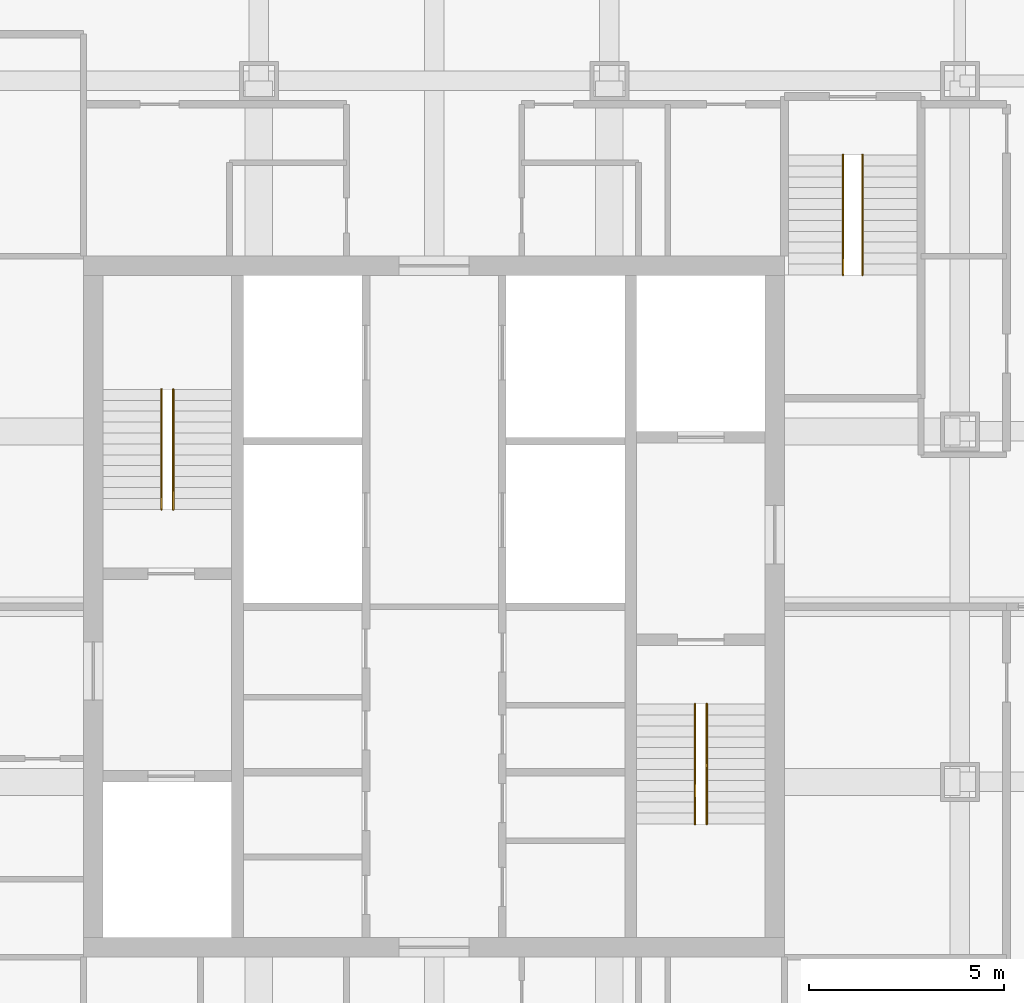
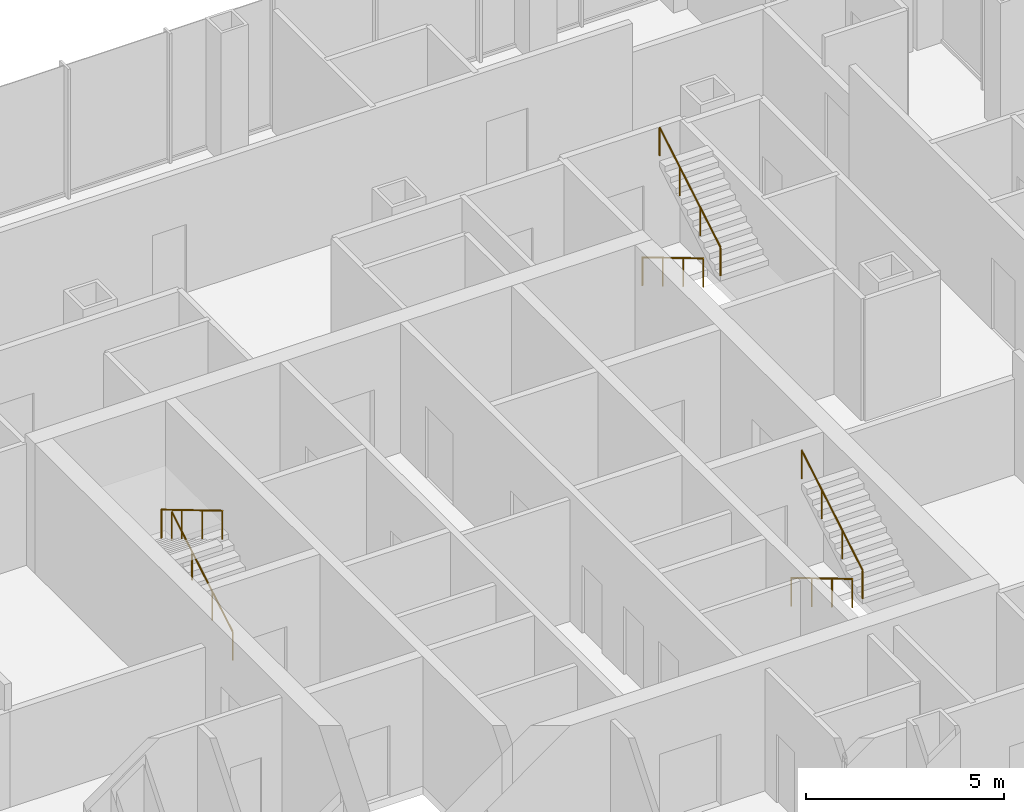
# One storey, part 16 of 16: 6 railings.
"""IFC4 building model written with IfcOpenShell, lengths in metres."""

from ifc_helpers import new_model, si_unit, direction, frame, origin, origin_2d, place, context, subcontext, project, spatial, circle, extrude, material, type_object, element, save


model = new_model("IFC4")

# Units and contexts
model_context = context("Model", 3, precision=1e-05, world=origin(), true_north=direction((0.0, 1.0)))
body_context = subcontext(model_context, "Body", "Model", "MODEL_VIEW")
ifc_project = project(units=[si_unit("LENGTHUNIT", "METRE"), si_unit("AREAUNIT", "SQUARE_METRE"), si_unit("VOLUMEUNIT", "CUBIC_METRE"), si_unit("PLANEANGLEUNIT", "RADIAN"), si_unit("MASSUNIT", "GRAM", prefix="KILO")], contexts=[model_context])

# Site, building, storey
site_placement = place(None, origin())
site = spatial("IfcSite", under=ifc_project, at=site_placement, CompositionType="ELEMENT")
building_placement = place(site_placement, origin())
building = spatial("IfcBuilding", under=site, at=building_placement, Name="Malebo Sky Hospital", CompositionType="ELEMENT")
storey_placement = place(building_placement, frame((0.0, 0.0, 209.0)))
storey = spatial("IfcBuildingStorey", under=building, at=storey_placement, Name="L50", CompositionType="ELEMENT", Elevation=209.0)

# Railings
ifc_material = material(Name="Stainless steel tube", Category="steel")
railing_type = type_object("IfcRailingType", Name="STAIR HANDRAIL 900", PredefinedType="HANDRAIL", material=ifc_material)
railing_1_placement = place(storey_placement, frame((53.300048828125, 64.5, 0.166748046875)))
element("IfcRailing", 1, at=railing_1_placement, inside=storey, type_object=railing_type, Name="Stair handrail S1 flight 1", PredefinedType="HANDRAIL", context=body_context, shape_type="SweptSolid", body=[
    extrude(circle(Radius=0.02392578125, at=origin_2d()), frame((0.0, 0.0, 0.8759765625), z_axis=(0.0, 0.859308565015, 0.511457515432), x_axis=(-1.0, 0.0, 0.0)), (0.0, 0.0, 1.0), 3.58447265625),
    extrude(circle(Radius=0.02099609375, at=origin_2d()), origin(), (0.0, 0.0, 1.0), 0.851806640625),
    extrude(circle(Radius=0.02099609375, at=origin_2d()), frame((0.0, 1.026611328125, 0.611083984375)), (0.0, 0.0, 1.0), 0.851806640625),
    extrude(circle(Radius=0.02099609375, at=origin_2d()), frame((0.0, 2.053466796875, 1.22216796875)), (0.0, 0.0, 1.0), 0.851806640625),
    extrude(circle(Radius=0.02099609375, at=origin_2d()), frame((0.0, 3.080078125, 1.833251953125)), (0.0, 0.0, 1.0), 0.851806640625),
])
for number, where, name in (
    (2, (53.0, 67.580078125, 2.166748046875), "Stair handrail S1 flight 2"),
    (3, (66.699951171875, 59.5, 0.166748046875), "Stair handrail S2 flight 1"),
):
    element("IfcRailing", number, at=place(storey_placement, frame(where)), inside=storey, type_object=railing_type, Name=name, PredefinedType="HANDRAIL", context=body_context, shape_type="SweptSolid", body=[
        extrude(circle(Radius=0.02392578125, at=origin_2d()), frame((0.0, 0.0, 0.8759765625), z_axis=(0.0, -0.859308565015, 0.511457515432), x_axis=(1.0, 0.0, 0.0)), (0.0, 0.0, 1.0), 3.58447265625),
        extrude(circle(Radius=0.02099609375, at=origin_2d()), origin(), (0.0, 0.0, 1.0), 0.851806640625),
        extrude(circle(Radius=0.02099609375, at=origin_2d()), frame((0.0, -1.026611328125, 0.611083984375)), (0.0, 0.0, 1.0), 0.851806640625),
        extrude(circle(Radius=0.02099609375, at=origin_2d()), frame((0.0, -2.053466796875, 1.22216796875)), (0.0, 0.0, 1.0), 0.851806640625),
        extrude(circle(Radius=0.02099609375, at=origin_2d()), frame((0.0, -3.080078125, 1.833251953125)), (0.0, 0.0, 1.0), 0.851806640625),
    ])
railing_2_placement = place(storey_placement, frame((67.0, 56.419921875, 2.166748046875)))
element("IfcRailing", 4, at=railing_2_placement, inside=storey, type_object=railing_type, Name="Stair handrail S2 flight 2", PredefinedType="HANDRAIL", context=body_context, shape_type="SweptSolid", body=[
    extrude(circle(Radius=0.02392578125, at=origin_2d()), frame((0.0, 0.0, 0.8759765625), z_axis=(0.0, 0.859308565015, 0.511457515432), x_axis=(-1.0, 0.0, 0.0)), (0.0, 0.0, 1.0), 3.58447265625),
    extrude(circle(Radius=0.02099609375, at=origin_2d()), origin(), (0.0, 0.0, 1.0), 0.851806640625),
    extrude(circle(Radius=0.02099609375, at=origin_2d()), frame((0.0, 1.026611328125, 0.611083984375)), (0.0, 0.0, 1.0), 0.851806640625),
    extrude(circle(Radius=0.02099609375, at=origin_2d()), frame((0.0, 2.053466796875, 1.22216796875)), (0.0, 0.0, 1.0), 0.851806640625),
    extrude(circle(Radius=0.02099609375, at=origin_2d()), frame((0.0, 3.080078125, 1.833251953125)), (0.0, 0.0, 1.0), 0.851806640625),
])
railing_3_placement = place(storey_placement, frame((70.5, 73.60009765625, 0.166748046875)))
element("IfcRailing", 5, at=railing_3_placement, inside=storey, type_object=railing_type, Name="Stair handrail S3 flight 1", PredefinedType="HANDRAIL", context=body_context, shape_type="SweptSolid", body=[
    extrude(circle(Radius=0.02392578125, at=origin_2d()), frame((0.0, 0.0, 0.8759765625), z_axis=(0.0, -0.859308565015, 0.511457515432), x_axis=(1.0, 0.0, 0.0)), (0.0, 0.0, 1.0), 3.58447265625),
    extrude(circle(Radius=0.02099609375, at=origin_2d()), origin(), (0.0, 0.0, 1.0), 0.851806640625),
    extrude(circle(Radius=0.02099609375, at=origin_2d()), frame((0.0, -1.026611328125, 0.611083984375)), (0.0, 0.0, 1.0), 0.851806640625),
    extrude(circle(Radius=0.02099609375, at=origin_2d()), frame((0.0, -2.053466796875, 1.22216796875)), (0.0, 0.0, 1.0), 0.851806640625),
    extrude(circle(Radius=0.02099609375, at=origin_2d()), frame((0.0, -3.080078125, 1.833251953125)), (0.0, 0.0, 1.0), 0.851806640625),
])
railing_4_placement = place(storey_placement, frame((71.0, 70.52001953125, 2.166748046875)))
element("IfcRailing", 6, at=railing_4_placement, inside=storey, type_object=railing_type, Name="Stair handrail S3 flight 2", PredefinedType="HANDRAIL", context=body_context, shape_type="SweptSolid", body=[
    extrude(circle(Radius=0.02392578125, at=origin_2d()), frame((0.0, 0.0, 0.8759765625), z_axis=(0.0, 0.859308565015, 0.511457515432), x_axis=(-1.0, 0.0, 0.0)), (0.0, 0.0, 1.0), 3.58447265625),
    extrude(circle(Radius=0.02099609375, at=origin_2d()), origin(), (0.0, 0.0, 1.0), 0.851806640625),
    extrude(circle(Radius=0.02099609375, at=origin_2d()), frame((0.0, 1.026611328125, 0.611083984375)), (0.0, 0.0, 1.0), 0.851806640625),
    extrude(circle(Radius=0.02099609375, at=origin_2d()), frame((0.0, 2.053466796875, 1.22216796875)), (0.0, 0.0, 1.0), 0.851806640625),
    extrude(circle(Radius=0.02099609375, at=origin_2d()), frame((0.0, 3.080078125, 1.833251953125)), (0.0, 0.0, 1.0), 0.851806640625),
])

save(model, "model.ifc")
